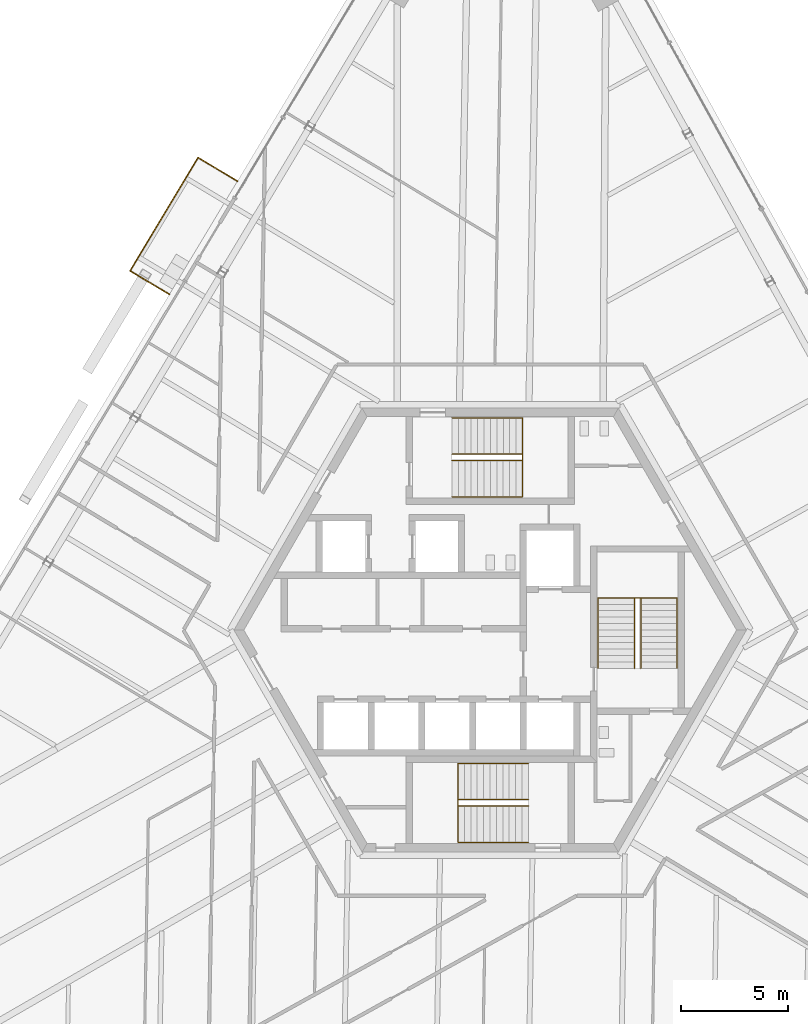
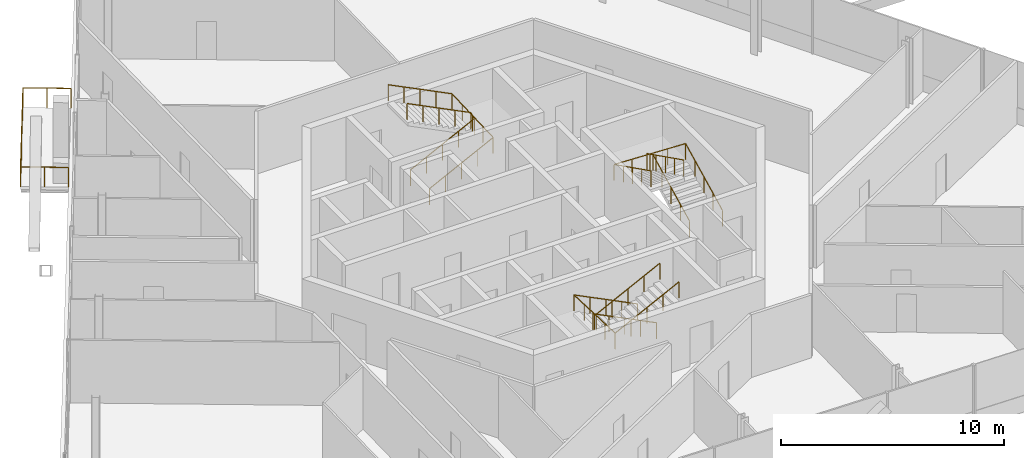
# One storey, part 15 of 18: 7 railings.
"""IFC4 building model written with IfcOpenShell, lengths in metres."""

from ifc_helpers import new_model, si_unit, direction, frame, origin, origin_2d, place, context, subcontext, project, spatial, circle, extrude, source, transform, mapped, material, type_object, element, save


model = new_model("IFC4")

# Units and contexts
model_context = context("Model", 3, precision=1e-05, world=origin(), true_north=direction((0.0, 1.0)))
body_context = subcontext(model_context, "Body", "Model", "MODEL_VIEW")
ifc_project = project(units=[si_unit("LENGTHUNIT", "METRE"), si_unit("AREAUNIT", "SQUARE_METRE"), si_unit("VOLUMEUNIT", "CUBIC_METRE"), si_unit("PLANEANGLEUNIT", "RADIAN"), si_unit("MASSUNIT", "GRAM", prefix="KILO")], contexts=[model_context])

# Site, building, storey
site_placement = place(None, origin())
site = spatial("IfcSite", under=ifc_project, at=site_placement, CompositionType="ELEMENT")
building_placement = place(site_placement, origin())
building = spatial("IfcBuilding", under=site, at=building_placement, Name="Triune Harvest Tower", CompositionType="ELEMENT")
storey_placement = place(building_placement, frame((0.0, 0.0, 197.89990234375)))
storey = spatial("IfcBuildingStorey", under=building, at=storey_placement, Name="L51", CompositionType="ELEMENT", Elevation=197.89990234375)

# Railings
ifc_material_1 = material(Name="Stainless steel AISI 316", Category="steel")
railing_type_1 = type_object("IfcRailingType", Name="Stair handrail", PredefinedType="HANDRAIL", material=ifc_material_1)
shared_shape_1 = source(origin(), body_context, "Body", "SweptSolid", [
    extrude(circle(Radius=0.02392578125, at=origin_2d()), frame((0.0, 0.0, 0.8759765625), z_axis=(0.894440424912, 0.0, 0.447187126696), x_axis=(0.0, 1.0, 0.0)), (0.0, 0.0, 1.0), 3.689453125),
    extrude(circle(Radius=0.02392578125, at=origin_2d()), frame((3.300048828125, 0.0, 2.52587890625), z_axis=(0.0, 0.999177620331, 0.040547293732), x_axis=(-1.0, 0.0, 0.0)), (0.0, 0.0, 1.0), 3.702880859375),
    extrude(circle(Radius=0.02392578125, at=origin_2d()), frame((3.300048828125, 3.699951171875, 2.67578125), z_axis=(-0.894440424912, 0.0, 0.447187126696), x_axis=(0.0, -1.0, 0.0)), (0.0, 0.0, 1.0), 3.689453125),
    extrude(circle(Radius=0.02099609375, at=origin_2d()), origin(), (0.0, 0.0, 1.0), 0.851806640625),
    extrude(circle(Radius=0.02099609375, at=origin_2d()), frame((0.824951171875, 0.0, 0.41259765625)), (0.0, 0.0, 1.0), 0.851806640625),
    extrude(circle(Radius=0.02099609375, at=origin_2d()), frame((1.64990234375, 0.0, 0.824951171875)), (0.0, 0.0, 1.0), 0.851806640625),
    extrude(circle(Radius=0.02099609375, at=origin_2d()), frame((2.47509765625, 0.0, 1.2373046875)), (0.0, 0.0, 1.0), 0.851806640625),
    extrude(circle(Radius=0.02099609375, at=origin_2d()), frame((3.300048828125, 0.0, 1.64990234375)), (0.0, 0.0, 1.0), 0.851806640625),
    extrude(circle(Radius=0.02099609375, at=origin_2d()), frame((3.300048828125, 0.925048828125, 1.6875)), (0.0, 0.0, 1.0), 0.851806640625),
    extrude(circle(Radius=0.02099609375, at=origin_2d()), frame((3.300048828125, 1.85009765625, 1.72509765625)), (0.0, 0.0, 1.0), 0.851806640625),
    extrude(circle(Radius=0.02099609375, at=origin_2d()), frame((3.300048828125, 2.77490234375, 1.762451171875)), (0.0, 0.0, 1.0), 0.851806640625),
    extrude(circle(Radius=0.02099609375, at=origin_2d()), frame((3.300048828125, 3.699951171875, 1.800048828125)), (0.0, 0.0, 1.0), 0.851806640625),
    extrude(circle(Radius=0.02099609375, at=origin_2d()), frame((2.47509765625, 3.699951171875, 2.21240234375)), (0.0, 0.0, 1.0), 0.851806640625),
    extrude(circle(Radius=0.02099609375, at=origin_2d()), frame((1.64990234375, 3.699951171875, 2.625)), (0.0, 0.0, 1.0), 0.851806640625),
    extrude(circle(Radius=0.02099609375, at=origin_2d()), frame((0.824951171875, 3.699951171875, 3.03759765625)), (0.0, 0.0, 1.0), 0.851806640625),
    extrude(circle(Radius=0.02099609375, at=origin_2d()), frame((0.0, 3.699951171875, 3.449951171875)), (0.0, 0.0, 1.0), 0.851806640625),
])
railing_1_placement = place(storey_placement, frame((-1.7900390625, 6.239990234375, 0.150146484375)))
element("IfcRailing", 1, at=railing_1_placement, inside=storey, type_object=railing_type_1, Name="Exit stair north wall handrail", PredefinedType="HANDRAIL", context=body_context, shape_type="MappedRepresentation", body=[
    mapped(shared_shape_1, transform((0.0, 0.0, 0.0), scale=1.0)),
])
shared_shape_2 = source(origin(), body_context, "Body", "SweptSolid", [
    extrude(circle(Radius=0.02392578125, at=origin_2d()), frame((0.0, 0.0, 0.8759765625), z_axis=(0.894440424912, 0.0, 0.447187126696), x_axis=(0.0, 1.0, 0.0)), (0.0, 0.0, 1.0), 3.689453125),
    extrude(circle(Radius=0.02392578125, at=origin_2d()), frame((3.300048828125, 0.0, 2.52587890625), z_axis=(0.0, 0.894281613681, 0.447504631744), x_axis=(-1.0, 0.0, 0.0)), (0.0, 0.0, 1.0), 0.33544921875),
    extrude(circle(Radius=0.02392578125, at=origin_2d()), frame((3.300048828125, 0.300048828125, 2.67578125), z_axis=(-0.894440424912, 0.0, 0.447187126696), x_axis=(0.0, -1.0, 0.0)), (0.0, 0.0, 1.0), 3.689453125),
    extrude(circle(Radius=0.02099609375, at=origin_2d()), origin(), (0.0, 0.0, 1.0), 0.851806640625),
    extrude(circle(Radius=0.02099609375, at=origin_2d()), frame((0.824951171875, 0.0, 0.41259765625)), (0.0, 0.0, 1.0), 0.851806640625),
    extrude(circle(Radius=0.02099609375, at=origin_2d()), frame((1.64990234375, 0.0, 0.824951171875)), (0.0, 0.0, 1.0), 0.851806640625),
    extrude(circle(Radius=0.02099609375, at=origin_2d()), frame((2.47509765625, 0.0, 1.2373046875)), (0.0, 0.0, 1.0), 0.851806640625),
    extrude(circle(Radius=0.02099609375, at=origin_2d()), frame((3.300048828125, 0.0, 1.64990234375)), (0.0, 0.0, 1.0), 0.851806640625),
    extrude(circle(Radius=0.02099609375, at=origin_2d()), frame((3.300048828125, 0.300048828125, 1.800048828125)), (0.0, 0.0, 1.0), 0.851806640625),
    extrude(circle(Radius=0.02099609375, at=origin_2d()), frame((2.47509765625, 0.300048828125, 2.21240234375)), (0.0, 0.0, 1.0), 0.851806640625),
    extrude(circle(Radius=0.02099609375, at=origin_2d()), frame((1.64990234375, 0.300048828125, 2.625)), (0.0, 0.0, 1.0), 0.851806640625),
    extrude(circle(Radius=0.02099609375, at=origin_2d()), frame((0.824951171875, 0.300048828125, 3.03759765625)), (0.0, 0.0, 1.0), 0.851806640625),
    extrude(circle(Radius=0.02099609375, at=origin_2d()), frame((0.0, 0.300048828125, 3.449951171875)), (0.0, 0.0, 1.0), 0.851806640625),
])
railing_2_placement = place(storey_placement, frame((-1.7900390625, 7.93994140625, 0.150146484375)))
element("IfcRailing", 2, at=railing_2_placement, inside=storey, type_object=railing_type_1, Name="Exit stair north centre handrail", PredefinedType="HANDRAIL", context=body_context, shape_type="MappedRepresentation", body=[
    mapped(shared_shape_2, transform((0.0, 0.0, 0.0), scale=1.0)),
])
shared_shape_3 = source(origin(), body_context, "Body", "SweptSolid", [
    extrude(circle(Radius=0.02392578125, at=origin_2d()), frame((0.0, 0.0, 0.8759765625), z_axis=(-0.894440424912, 0.0, 0.447187126696), x_axis=(0.0, -1.0, 0.0)), (0.0, 0.0, 1.0), 3.689453125),
    extrude(circle(Radius=0.02392578125, at=origin_2d()), frame((-3.300048828125, 0.0, 2.52587890625), z_axis=(0.0, -0.999177620331, 0.040547293732), x_axis=(1.0, 0.0, 0.0)), (0.0, 0.0, 1.0), 3.702880859375),
    extrude(circle(Radius=0.02392578125, at=origin_2d()), frame((-3.300048828125, -3.699951171875, 2.67578125), z_axis=(0.894440424912, 0.0, 0.447187126696), x_axis=(0.0, 1.0, 0.0)), (0.0, 0.0, 1.0), 3.689453125),
    extrude(circle(Radius=0.02099609375, at=origin_2d()), origin(), (0.0, 0.0, 1.0), 0.851806640625),
    extrude(circle(Radius=0.02099609375, at=origin_2d()), frame((-0.824951171875, 0.0, 0.41259765625)), (0.0, 0.0, 1.0), 0.851806640625),
    extrude(circle(Radius=0.02099609375, at=origin_2d()), frame((-1.64990234375, 0.0, 0.824951171875)), (0.0, 0.0, 1.0), 0.851806640625),
    extrude(circle(Radius=0.02099609375, at=origin_2d()), frame((-2.47509765625, 0.0, 1.2373046875)), (0.0, 0.0, 1.0), 0.851806640625),
    extrude(circle(Radius=0.02099609375, at=origin_2d()), frame((-3.300048828125, 0.0, 1.64990234375)), (0.0, 0.0, 1.0), 0.851806640625),
    extrude(circle(Radius=0.02099609375, at=origin_2d()), frame((-3.300048828125, -0.925048828125, 1.6875)), (0.0, 0.0, 1.0), 0.851806640625),
    extrude(circle(Radius=0.02099609375, at=origin_2d()), frame((-3.300048828125, -1.85009765625, 1.72509765625)), (0.0, 0.0, 1.0), 0.851806640625),
    extrude(circle(Radius=0.02099609375, at=origin_2d()), frame((-3.300048828125, -2.77490234375, 1.762451171875)), (0.0, 0.0, 1.0), 0.851806640625),
    extrude(circle(Radius=0.02099609375, at=origin_2d()), frame((-3.300048828125, -3.699951171875, 1.800048828125)), (0.0, 0.0, 1.0), 0.851806640625),
    extrude(circle(Radius=0.02099609375, at=origin_2d()), frame((-2.47509765625, -3.699951171875, 2.21240234375)), (0.0, 0.0, 1.0), 0.851806640625),
    extrude(circle(Radius=0.02099609375, at=origin_2d()), frame((-1.64990234375, -3.699951171875, 2.625)), (0.0, 0.0, 1.0), 0.851806640625),
    extrude(circle(Radius=0.02099609375, at=origin_2d()), frame((-0.824951171875, -3.699951171875, 3.03759765625)), (0.0, 0.0, 1.0), 0.851806640625),
    extrude(circle(Radius=0.02099609375, at=origin_2d()), frame((0.0, -3.699951171875, 3.449951171875)), (0.0, 0.0, 1.0), 0.851806640625),
])
railing_3_placement = place(storey_placement, frame((1.7900390625, -6.239990234375, 0.150146484375)))
element("IfcRailing", 3, at=railing_3_placement, inside=storey, type_object=railing_type_1, Name="Exit stair south wall handrail", PredefinedType="HANDRAIL", context=body_context, shape_type="MappedRepresentation", body=[
    mapped(shared_shape_3, transform((0.0, 0.0, 0.0), scale=1.0)),
])
shared_shape_4 = source(origin(), body_context, "Body", "SweptSolid", [
    extrude(circle(Radius=0.02392578125, at=origin_2d()), frame((0.0, 0.0, 0.8759765625), z_axis=(-0.894440424912, 0.0, 0.447187126696), x_axis=(0.0, -1.0, 0.0)), (0.0, 0.0, 1.0), 3.689453125),
    extrude(circle(Radius=0.02392578125, at=origin_2d()), frame((-3.300048828125, 0.0, 2.52587890625), z_axis=(0.0, -0.894281613681, 0.447504631744), x_axis=(1.0, 0.0, 0.0)), (0.0, 0.0, 1.0), 0.33544921875),
    extrude(circle(Radius=0.02392578125, at=origin_2d()), frame((-3.300048828125, -0.300048828125, 2.67578125), z_axis=(0.894440424912, 0.0, 0.447187126696), x_axis=(0.0, 1.0, 0.0)), (0.0, 0.0, 1.0), 3.689453125),
    extrude(circle(Radius=0.02099609375, at=origin_2d()), origin(), (0.0, 0.0, 1.0), 0.851806640625),
    extrude(circle(Radius=0.02099609375, at=origin_2d()), frame((-0.824951171875, 0.0, 0.41259765625)), (0.0, 0.0, 1.0), 0.851806640625),
    extrude(circle(Radius=0.02099609375, at=origin_2d()), frame((-1.64990234375, 0.0, 0.824951171875)), (0.0, 0.0, 1.0), 0.851806640625),
    extrude(circle(Radius=0.02099609375, at=origin_2d()), frame((-2.47509765625, 0.0, 1.2373046875)), (0.0, 0.0, 1.0), 0.851806640625),
    extrude(circle(Radius=0.02099609375, at=origin_2d()), frame((-3.300048828125, 0.0, 1.64990234375)), (0.0, 0.0, 1.0), 0.851806640625),
    extrude(circle(Radius=0.02099609375, at=origin_2d()), frame((-3.300048828125, -0.300048828125, 1.800048828125)), (0.0, 0.0, 1.0), 0.851806640625),
    extrude(circle(Radius=0.02099609375, at=origin_2d()), frame((-2.47509765625, -0.300048828125, 2.21240234375)), (0.0, 0.0, 1.0), 0.851806640625),
    extrude(circle(Radius=0.02099609375, at=origin_2d()), frame((-1.64990234375, -0.300048828125, 2.625)), (0.0, 0.0, 1.0), 0.851806640625),
    extrude(circle(Radius=0.02099609375, at=origin_2d()), frame((-0.824951171875, -0.300048828125, 3.03759765625)), (0.0, 0.0, 1.0), 0.851806640625),
    extrude(circle(Radius=0.02099609375, at=origin_2d()), frame((0.0, -0.300048828125, 3.449951171875)), (0.0, 0.0, 1.0), 0.851806640625),
])
railing_4_placement = place(storey_placement, frame((1.7900390625, -7.93994140625, 0.150146484375)))
element("IfcRailing", 4, at=railing_4_placement, inside=storey, type_object=railing_type_1, Name="Exit stair south centre handrail", PredefinedType="HANDRAIL", context=body_context, shape_type="MappedRepresentation", body=[
    mapped(shared_shape_4, transform((0.0, 0.0, 0.0), scale=1.0)),
])
shared_shape_5 = source(origin(), body_context, "Body", "SweptSolid", [
    extrude(circle(Radius=0.02392578125, at=origin_2d()), frame((0.0, 0.0, 0.8759765625), z_axis=(0.0, 0.894440424912, 0.447187126696), x_axis=(-1.0, 0.0, 0.0)), (0.0, 0.0, 1.0), 3.689453125),
    extrude(circle(Radius=0.02392578125, at=origin_2d()), frame((0.0, 3.300048828125, 2.52587890625), z_axis=(-0.999177620331, 0.0, 0.040547293732), x_axis=(0.0, -1.0, 0.0)), (0.0, 0.0, 1.0), 3.702880859375),
    extrude(circle(Radius=0.02392578125, at=origin_2d()), frame((-3.699951171875, 3.300048828125, 2.67578125), z_axis=(0.0, -0.894440424912, 0.447187126696), x_axis=(1.0, 0.0, 0.0)), (0.0, 0.0, 1.0), 3.689453125),
    extrude(circle(Radius=0.02099609375, at=origin_2d()), origin(), (0.0, 0.0, 1.0), 0.851806640625),
    extrude(circle(Radius=0.02099609375, at=origin_2d()), frame((0.0, 0.824951171875, 0.41259765625)), (0.0, 0.0, 1.0), 0.851806640625),
    extrude(circle(Radius=0.02099609375, at=origin_2d()), frame((0.0, 1.64990234375, 0.824951171875)), (0.0, 0.0, 1.0), 0.851806640625),
    extrude(circle(Radius=0.02099609375, at=origin_2d()), frame((0.0, 2.47509765625, 1.2373046875)), (0.0, 0.0, 1.0), 0.851806640625),
    extrude(circle(Radius=0.02099609375, at=origin_2d()), frame((0.0, 3.300048828125, 1.64990234375)), (0.0, 0.0, 1.0), 0.851806640625),
    extrude(circle(Radius=0.02099609375, at=origin_2d()), frame((-0.925048828125, 3.300048828125, 1.6875)), (0.0, 0.0, 1.0), 0.851806640625),
    extrude(circle(Radius=0.02099609375, at=origin_2d()), frame((-1.85009765625, 3.300048828125, 1.72509765625)), (0.0, 0.0, 1.0), 0.851806640625),
    extrude(circle(Radius=0.02099609375, at=origin_2d()), frame((-2.77490234375, 3.300048828125, 1.762451171875)), (0.0, 0.0, 1.0), 0.851806640625),
    extrude(circle(Radius=0.02099609375, at=origin_2d()), frame((-3.699951171875, 3.300048828125, 1.800048828125)), (0.0, 0.0, 1.0), 0.851806640625),
    extrude(circle(Radius=0.02099609375, at=origin_2d()), frame((-3.699951171875, 2.47509765625, 2.21240234375)), (0.0, 0.0, 1.0), 0.851806640625),
    extrude(circle(Radius=0.02099609375, at=origin_2d()), frame((-3.699951171875, 1.64990234375, 2.625)), (0.0, 0.0, 1.0), 0.851806640625),
    extrude(circle(Radius=0.02099609375, at=origin_2d()), frame((-3.699951171875, 0.824951171875, 3.03759765625)), (0.0, 0.0, 1.0), 0.851806640625),
    extrude(circle(Radius=0.02099609375, at=origin_2d()), frame((-3.699951171875, 0.0, 3.449951171875)), (0.0, 0.0, 1.0), 0.851806640625),
])
railing_5_placement = place(storey_placement, frame((8.75, -1.7900390625, 0.150146484375)))
element("IfcRailing", 5, at=railing_5_placement, inside=storey, type_object=railing_type_1, Name="Exit stair east wall handrail", PredefinedType="HANDRAIL", context=body_context, shape_type="MappedRepresentation", body=[
    mapped(shared_shape_5, transform((0.0, 0.0, 0.0), scale=1.0)),
])
shared_shape_6 = source(origin(), body_context, "Body", "SweptSolid", [
    extrude(circle(Radius=0.02392578125, at=origin_2d()), frame((0.0, 0.0, 0.8759765625), z_axis=(0.0, 0.894440424912, 0.447187126696), x_axis=(-1.0, 0.0, 0.0)), (0.0, 0.0, 1.0), 3.689453125),
    extrude(circle(Radius=0.02392578125, at=origin_2d()), frame((0.0, 3.300048828125, 2.52587890625), z_axis=(-0.894281613681, 0.0, 0.447504631744), x_axis=(0.0, -1.0, 0.0)), (0.0, 0.0, 1.0), 0.33544921875),
    extrude(circle(Radius=0.02392578125, at=origin_2d()), frame((-0.300048828125, 3.300048828125, 2.67578125), z_axis=(0.0, -0.894440424912, 0.447187126696), x_axis=(1.0, 0.0, 0.0)), (0.0, 0.0, 1.0), 3.689453125),
    extrude(circle(Radius=0.02099609375, at=origin_2d()), origin(), (0.0, 0.0, 1.0), 0.851806640625),
    extrude(circle(Radius=0.02099609375, at=origin_2d()), frame((0.0, 0.824951171875, 0.41259765625)), (0.0, 0.0, 1.0), 0.851806640625),
    extrude(circle(Radius=0.02099609375, at=origin_2d()), frame((0.0, 1.64990234375, 0.824951171875)), (0.0, 0.0, 1.0), 0.851806640625),
    extrude(circle(Radius=0.02099609375, at=origin_2d()), frame((0.0, 2.47509765625, 1.2373046875)), (0.0, 0.0, 1.0), 0.851806640625),
    extrude(circle(Radius=0.02099609375, at=origin_2d()), frame((0.0, 3.300048828125, 1.64990234375)), (0.0, 0.0, 1.0), 0.851806640625),
    extrude(circle(Radius=0.02099609375, at=origin_2d()), frame((-0.300048828125, 3.300048828125, 1.800048828125)), (0.0, 0.0, 1.0), 0.851806640625),
    extrude(circle(Radius=0.02099609375, at=origin_2d()), frame((-0.300048828125, 2.47509765625, 2.21240234375)), (0.0, 0.0, 1.0), 0.851806640625),
    extrude(circle(Radius=0.02099609375, at=origin_2d()), frame((-0.300048828125, 1.64990234375, 2.625)), (0.0, 0.0, 1.0), 0.851806640625),
    extrude(circle(Radius=0.02099609375, at=origin_2d()), frame((-0.300048828125, 0.824951171875, 3.03759765625)), (0.0, 0.0, 1.0), 0.851806640625),
    extrude(circle(Radius=0.02099609375, at=origin_2d()), frame((-0.300048828125, 0.0, 3.449951171875)), (0.0, 0.0, 1.0), 0.851806640625),
])
railing_6_placement = place(storey_placement, frame((7.050048828125, -1.7900390625, 0.150146484375)))
element("IfcRailing", 6, at=railing_6_placement, inside=storey, type_object=railing_type_1, Name="Exit stair east centre handrail", PredefinedType="HANDRAIL", context=body_context, shape_type="MappedRepresentation", body=[
    mapped(shared_shape_6, transform((0.0, 0.0, 0.0), scale=1.0)),
])
ifc_material_2 = material(Name="Glass", Category="glass")
railing_type_2 = type_object("IfcRailingType", Name="GD-2 balcony guard 1100", PredefinedType="GUARDRAIL", material=ifc_material_2)
shared_shape_7 = source(origin(), body_context, "Body", "SweptSolid", [
    extrude(circle(Radius=0.02392578125, at=origin_2d()), frame((0.0, 0.0, 1.076171875), z_axis=(-0.857171813398, 0.515030564448, 0.0), x_axis=(-0.515030564448, -0.857171813398, 0.0)), (0.0, 0.0, 1.0), 2.14794921875),
    extrude(circle(Radius=0.02392578125, at=origin_2d()), frame((-1.841064453125, 1.106201171875, 1.076171875), z_axis=(-0.515058688482, -0.857154914481, 0.0), x_axis=(0.857154914481, -0.515058688482, 0.0)), (0.0, 0.0, 1.0), 6.185302734375),
    extrude(circle(Radius=0.02392578125, at=origin_2d()), frame((-5.02685546875, -4.195556640625, 1.076171875), z_axis=(0.857151786038, -0.515063894766, 0.0), x_axis=(0.515063894766, 0.857151786038, 0.0)), (0.0, 0.0, 1.0), 2.148193359375),
    extrude(circle(Radius=0.02099609375, at=origin_2d()), origin(), (0.0, 0.0, 1.0), 1.052001953125),
    extrude(circle(Radius=0.02099609375, at=origin_2d()), frame((-0.92041015625, 0.55322265625, 0.0)), (0.0, 0.0, 1.0), 1.052001953125),
    extrude(circle(Radius=0.02099609375, at=origin_2d()), frame((-1.841064453125, 1.106201171875, 0.0)), (0.0, 0.0, 1.0), 1.052001953125),
    extrude(circle(Radius=0.02099609375, at=origin_2d()), frame((-2.3720703125, 0.22265625, 0.0)), (0.0, 0.0, 1.0), 1.052001953125),
    extrude(circle(Radius=0.02099609375, at=origin_2d()), frame((-2.903076171875, -0.6611328125, 0.0)), (0.0, 0.0, 1.0), 1.052001953125),
    extrude(circle(Radius=0.02099609375, at=origin_2d()), frame((-3.43408203125, -1.544677734375, 0.0)), (0.0, 0.0, 1.0), 1.052001953125),
    extrude(circle(Radius=0.02099609375, at=origin_2d()), frame((-3.96484375, -2.42822265625, 0.0)), (0.0, 0.0, 1.0), 1.052001953125),
    extrude(circle(Radius=0.02099609375, at=origin_2d()), frame((-4.495849609375, -3.31201171875, 0.0)), (0.0, 0.0, 1.0), 1.052001953125),
    extrude(circle(Radius=0.02099609375, at=origin_2d()), frame((-5.02685546875, -4.195556640625, 0.0)), (0.0, 0.0, 1.0), 1.052001953125),
    extrude(circle(Radius=0.02099609375, at=origin_2d()), frame((-4.106201171875, -4.748779296875, 0.0)), (0.0, 0.0, 1.0), 1.052001953125),
    extrude(circle(Radius=0.02099609375, at=origin_2d()), frame((-3.185546875, -5.302001953125, 0.0)), (0.0, 0.0, 1.0), 1.052001953125),
])
railing_7_placement = place(storey_placement, frame((-11.841064453125, 21.0224609375, 0.0)))
element("IfcRailing", 7, at=railing_7_placement, inside=storey, type_object=railing_type_2, Name="Balcony guard B5-F3 L51.4", PredefinedType="GUARDRAIL", context=body_context, shape_type="MappedRepresentation", body=[
    mapped(shared_shape_7, transform((0.0, 0.0, 0.0), scale=1.0)),
])

save(model, "model.ifc")
